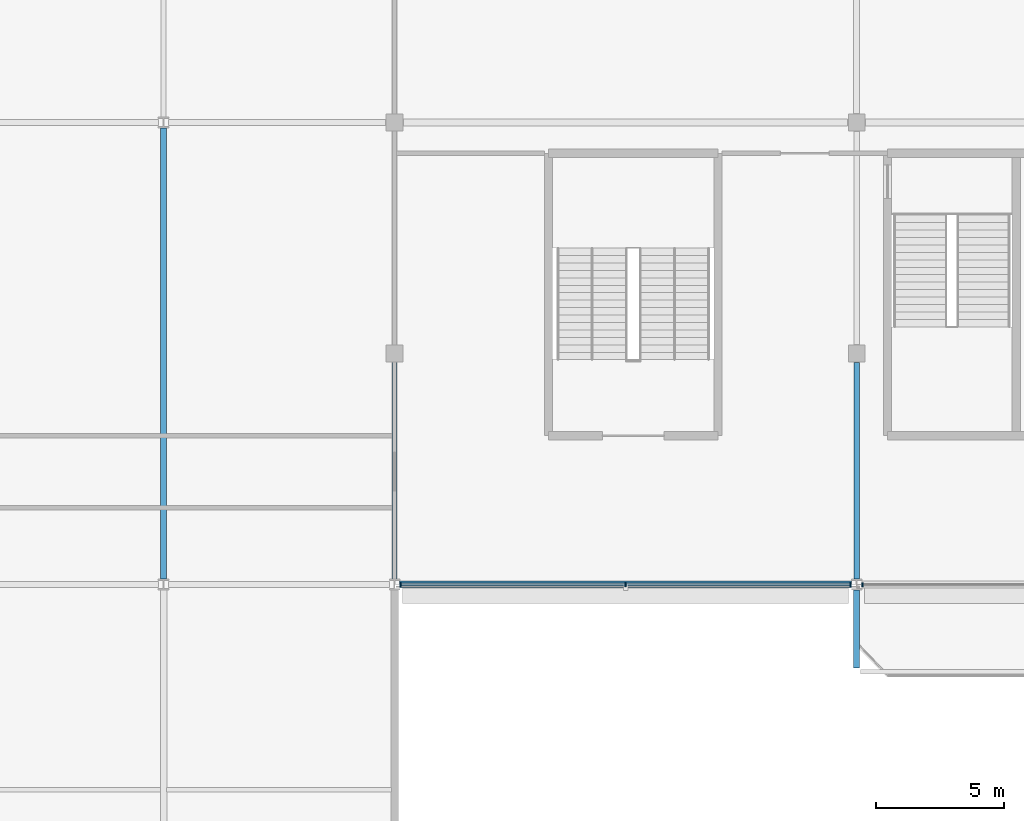
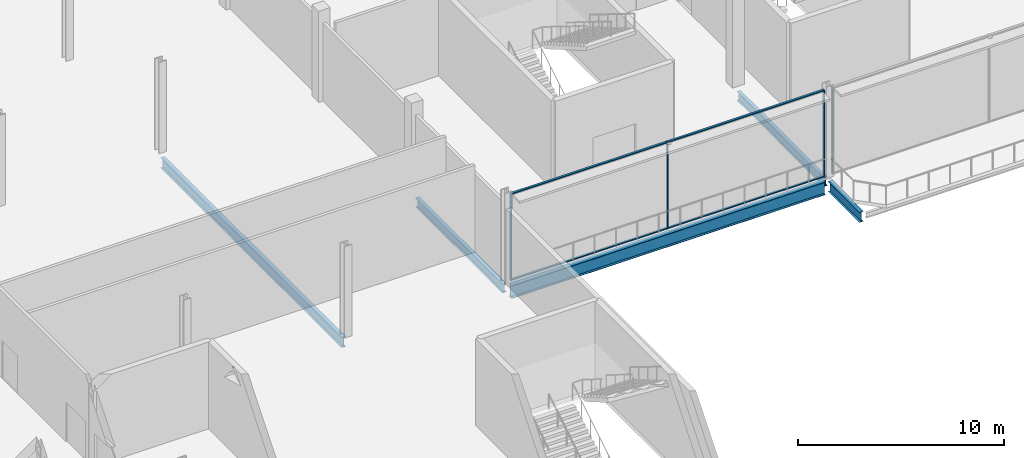
# One storey, part 29 of 113: 8 members, 5 beams, 2 elements without a shape of their own.
"""IFC4 building model written with IfcOpenShell, lengths in metres."""

from ifc_helpers import new_model, si_unit, direction, frame, origin, origin_2d, place, context, subcontext, project, spatial, rectangle, i_section, extrude, material, layer, layer_set, material_profile, profile_set, type_object, element, aggregate, save


model = new_model("IFC4")

# Units and contexts
model_context = context("Model", 3, precision=1e-05, world=origin(), true_north=direction((0.0, 1.0)))
body_context = subcontext(model_context, "Body", "Model", "MODEL_VIEW")
ifc_project = project(units=[si_unit("LENGTHUNIT", "METRE"), si_unit("AREAUNIT", "SQUARE_METRE"), si_unit("VOLUMEUNIT", "CUBIC_METRE"), si_unit("PLANEANGLEUNIT", "RADIAN"), si_unit("MASSUNIT", "GRAM", prefix="KILO")], contexts=[model_context])

# Site, building, storey
site_placement = place(None, origin())
site = spatial("IfcSite", under=ifc_project, at=site_placement, CompositionType="ELEMENT")
building_placement = place(site_placement, origin())
building = spatial("IfcBuilding", under=site, at=building_placement, Name="Kisiwana Market Hall", CompositionType="ELEMENT")
storey_placement = place(building_placement, frame((0.0, 0.0, 6.0)))
storey = spatial("IfcBuildingStorey", under=building, at=storey_placement, Name="L01", CompositionType="ELEMENT", Elevation=6.0)

# Beams
ifc_material_1 = material(Name="Steel S355", Category="steel")
ifc_material_profile_1 = material_profile(ifc_material_1, i_section(OverallWidth=0.2275390625, OverallDepth=0.6025390625, WebThickness=0.010498046875, FlangeThickness=0.014892578125, at=origin_2d()), Name="UB 610x229x101")
ifc_profile_set_1 = profile_set([ifc_material_profile_1], Name="Steel S355")
beam_type_1 = type_object("IfcBeamType", Name="BM-CANT-PROW", PredefinedType="BEAM", material=ifc_profile_set_1)
beam_1_placement = place(storey_placement, frame((63.0, 83.78662109375, -0.501220703125), z_axis=(0.0, -1.0, 0.0), x_axis=(1.0, 0.0, 0.0)))
element("IfcBeam", 1, at=beam_1_placement, inside=storey, type_object=beam_type_1, Name="Gallery prow girder B-0580", PredefinedType="BEAM", context=body_context, shape_type="SweptSolid", body=[
    extrude(i_section(OverallWidth=0.2275390625, OverallDepth=0.6025390625, WebThickness=0.010498046875, FlangeThickness=0.014892578125, at=origin_2d()), origin(), (0.0, 0.0, 1.0), 3.03662109375),
])
ifc_material_2 = material(Name="Steel S355", Category="steel")
ifc_material_profile_2 = material_profile(ifc_material_2, i_section(OverallWidth=0.209228515625, OverallDepth=0.533203125, WebThickness=0.010009765625, FlangeThickness=0.015625, at=origin_2d()), Name="UB 533x210x92")
ifc_profile_set_2 = profile_set([ifc_material_profile_2], Name="Steel S355")
beam_type_2 = type_object("IfcBeamType", Name="BM-GIRD-UB533", PredefinedType="BEAM", material=ifc_profile_set_2)
for number, where, z_axis, x_axis, name in (
    (2, (45.0, 84.21337890625, -0.5166015625), (0.0, 1.0, 0.0), (-1.0, 0.0, 0.0), "Primary girder B-0357"),
    (3, (63.0, 84.21337890625, -0.5166015625), (0.0, 1.0, 0.0), (-1.0, 0.0, 0.0), "Primary girder B-0364"),
):
    element("IfcBeam", number, at=place(storey_placement, frame(where, z_axis=z_axis, x_axis=x_axis)), inside=storey, type_object=beam_type_2, Name=name, PredefinedType="BEAM", context=body_context, shape_type="SweptSolid", body=[
        extrude(i_section(OverallWidth=0.209228515625, OverallDepth=0.533203125, WebThickness=0.010009765625, FlangeThickness=0.015625, at=origin_2d()), origin(), (0.0, 0.0, 1.0), 8.440673828125),
    ])
ifc_material_3 = material(Name="Steel S355", Category="steel")
ifc_material_profile_3 = material_profile(ifc_material_3, i_section(OverallWidth=0.22900390625, OverallDepth=0.6123046875, WebThickness=0.011962890625, FlangeThickness=0.01953125, at=origin_2d()), Name="UB 610x229x125")
ifc_profile_set_3 = profile_set([ifc_material_profile_3], Name="Steel S355")
beam_type_3 = type_object("IfcBeamType", Name="BM-GIRD-UB610H", PredefinedType="BEAM", material=ifc_profile_set_3)
beam_2_placement = place(storey_placement, frame((36.0, 84.21337890625, -0.55615234375), z_axis=(0.0, 1.0, 0.0), x_axis=(-1.0, 0.0, 0.0)))
element("IfcBeam", 4, at=beam_2_placement, inside=storey, type_object=beam_type_3, Name="Primary girder B-0350", PredefinedType="BEAM", context=body_context, shape_type="SweptSolid", body=[
    extrude(i_section(OverallWidth=0.22900390625, OverallDepth=0.6123046875, WebThickness=0.011962890625, FlangeThickness=0.01953125, at=origin_2d()), origin(), (0.0, 0.0, 1.0), 17.5732421875),
])
ifc_material_4 = material(Name="Steel S355", Category="steel")
ifc_material_profile_4 = material_profile(ifc_material_4, i_section(OverallWidth=0.2666015625, OverallDepth=0.76220703125, WebThickness=0.014404296875, FlangeThickness=0.021484375, at=origin_2d()), Name="UB 762x267x173")
ifc_profile_set_4 = profile_set([ifc_material_profile_4], Name="Steel S355")
beam_type_4 = type_object("IfcBeamType", Name="BM-GIRD-UB762", PredefinedType="BEAM", material=ifc_profile_set_4)
beam_3_placement = place(storey_placement, frame((45.201904296875, 84.0, -0.631103515625), z_axis=(1.0, 0.0, 0.0), x_axis=(0.0, 1.0, 0.0)))
element("IfcBeam", 5, at=beam_3_placement, inside=storey, type_object=beam_type_4, Name="Floor beam B-0507", PredefinedType="BEAM", context=body_context, shape_type="SweptSolid", body=[
    extrude(i_section(OverallWidth=0.2666015625, OverallDepth=0.76220703125, WebThickness=0.014404296875, FlangeThickness=0.021484375, at=origin_2d()), origin(), (0.0, 0.0, 1.0), 17.59619140625),
])

# Curtain wall, members
ifc_material_5 = material(Name="Double-glazed solar-control low-E IGU", Category="glass")
ifc_layer = layer(ifc_material_5, 0.159912109375)
ifc_layer_set = layer_set([ifc_layer], Name="CW-FC-S-7600")
curtain_wall_type = type_object("IfcCurtainWallType", Name="CW-FC-S-7600", PredefinedType="USERDEFINED", material=ifc_layer_set)
curtain_wall_1_placement = place(storey_placement, origin())
curtain_wall_1 = element("IfcCurtainWall", 6, at=curtain_wall_1_placement, inside=storey, type_object=curtain_wall_type, Name="Unitised curtain wall CW-025 (L01)", ObjectType="UNITISED CURTAIN WALL", PredefinedType="USERDEFINED")
ifc_material_6 = material(Name="Aluminium alloy 6063-T6", Category="aluminium")
ifc_material_profile_5 = material_profile(ifc_material_6, rectangle(XDim=0.06005859375, YDim=0.159912109375, at=origin_2d()), Name="ALU MULLION 60x160")
ifc_profile_set_5 = profile_set([ifc_material_profile_5], Name="Aluminium alloy 6063-T6")
member_type_1 = type_object("IfcMemberType", Name="CW-MULL-60x160", PredefinedType="MULLION", material=ifc_profile_set_5)
member_1_placement = place(storey_placement, frame((45.236083984375, 84.0, 0.0), z_axis=(0.0, 0.0, 1.0), x_axis=(1.0, 0.0, 0.0)))
member_1 = element("IfcMember", 7, at=member_1_placement, type_object=member_type_1, Name="CW-025 mullion 1", PredefinedType="MULLION", context=body_context, shape_type="SweptSolid", body=[
    extrude(rectangle(XDim=0.06005859375, YDim=0.159912109375, at=origin_2d()), origin(), (0.0, 0.0, 1.0), 5.14990234375),
])
member_2_placement = place(storey_placement, frame((54.0, 84.0, 0.0), z_axis=(0.0, 0.0, 1.0), x_axis=(1.0, 0.0, 0.0)))
member_2 = element("IfcMember", 8, at=member_2_placement, type_object=member_type_1, Name="CW-025 mullion 2", PredefinedType="MULLION", context=body_context, shape_type="SweptSolid", body=[
    extrude(rectangle(XDim=0.06005859375, YDim=0.159912109375, at=origin_2d()), origin(), (0.0, 0.0, 1.0), 5.14990234375),
])
member_3_placement = place(storey_placement, frame((62.763916015625, 84.0, 0.0), z_axis=(0.0, 0.0, 1.0), x_axis=(1.0, 0.0, 0.0)))
member_3 = element("IfcMember", 9, at=member_3_placement, type_object=member_type_1, Name="CW-025 mullion 3", PredefinedType="MULLION", context=body_context, shape_type="SweptSolid", body=[
    extrude(rectangle(XDim=0.06005859375, YDim=0.159912109375, at=origin_2d()), origin(), (0.0, 0.0, 1.0), 5.14990234375),
])

# Curtain wall, member
curtain_wall_2_placement = place(storey_placement, origin())
curtain_wall_2 = element("IfcCurtainWall", 10, at=curtain_wall_2_placement, inside=storey, type_object=curtain_wall_type, Name="Unitised curtain wall CW-026 (L01)", ObjectType="UNITISED CURTAIN WALL", PredefinedType="USERDEFINED")
member_4_placement = place(storey_placement, frame((63.236083984375, 84.0, 0.0), z_axis=(0.0, 0.0, 1.0), x_axis=(1.0, 0.0, 0.0)))
member_4 = element("IfcMember", 11, at=member_4_placement, type_object=member_type_1, Name="CW-026 mullion 1", PredefinedType="MULLION", context=body_context, shape_type="SweptSolid", body=[
    extrude(rectangle(XDim=0.06005859375, YDim=0.159912109375, at=origin_2d()), origin(), (0.0, 0.0, 1.0), 5.14990234375),
])
aggregate(curtain_wall_2, [member_4])

# Member
ifc_material_7 = material(Name="Aluminium alloy 6063-T6", Category="aluminium")
ifc_material_profile_6 = material_profile(ifc_material_7, rectangle(XDim=0.1201171875, YDim=0.06005859375, at=origin_2d()), Name="ALU TRANSOM 60x120")
ifc_profile_set_6 = profile_set([ifc_material_profile_6], Name="Aluminium alloy 6063-T6")
member_type_2 = type_object("IfcMemberType", Name="CW-TRAN-60x120", PredefinedType="USERDEFINED", material=ifc_profile_set_6)
member_5_placement = place(storey_placement, frame((45.26611328125, 84.0, 0.030029296875), z_axis=(1.0, 0.0, 0.0), x_axis=(0.0, 1.0, 0.0)))
member_5 = element("IfcMember", 12, at=member_5_placement, type_object=member_type_2, Name="CW-025 transom 1.1", ObjectType="TRANSOM", PredefinedType="USERDEFINED", context=body_context, shape_type="SweptSolid", body=[
    extrude(rectangle(XDim=0.1201171875, YDim=0.06005859375, at=origin_2d()), origin(), (0.0, 0.0, 1.0), 8.703857421875),
])

member_6_placement = place(storey_placement, frame((45.26611328125, 84.0, 5.1201171875), z_axis=(1.0, 0.0, 0.0), x_axis=(0.0, 1.0, 0.0)))
member_6 = element("IfcMember", 13, at=member_6_placement, type_object=member_type_2, Name="CW-025 transom 1.2", ObjectType="TRANSOM", PredefinedType="USERDEFINED", context=body_context, shape_type="SweptSolid", body=[
    extrude(rectangle(XDim=0.1201171875, YDim=0.06005859375, at=origin_2d()), origin(), (0.0, 0.0, 1.0), 8.703857421875),
])

member_7_placement = place(storey_placement, frame((54.030029296875, 84.0, 0.030029296875), z_axis=(1.0, 0.0, 0.0), x_axis=(0.0, 1.0, 0.0)))
member_7 = element("IfcMember", 14, at=member_7_placement, type_object=member_type_2, Name="CW-025 transom 2.1", ObjectType="TRANSOM", PredefinedType="USERDEFINED", context=body_context, shape_type="SweptSolid", body=[
    extrude(rectangle(XDim=0.1201171875, YDim=0.06005859375, at=origin_2d()), origin(), (0.0, 0.0, 1.0), 8.703857421875),
])

member_8_placement = place(storey_placement, frame((54.030029296875, 84.0, 5.1201171875), z_axis=(1.0, 0.0, 0.0), x_axis=(0.0, 1.0, 0.0)))
member_8 = element("IfcMember", 15, at=member_8_placement, type_object=member_type_2, Name="CW-025 transom 2.2", ObjectType="TRANSOM", PredefinedType="USERDEFINED", context=body_context, shape_type="SweptSolid", body=[
    extrude(rectangle(XDim=0.1201171875, YDim=0.06005859375, at=origin_2d()), origin(), (0.0, 0.0, 1.0), 8.703857421875),
])

aggregate(curtain_wall_1, [member_1, member_2, member_3, member_5, member_6, member_7, member_8])

save(model, "model.ifc")
